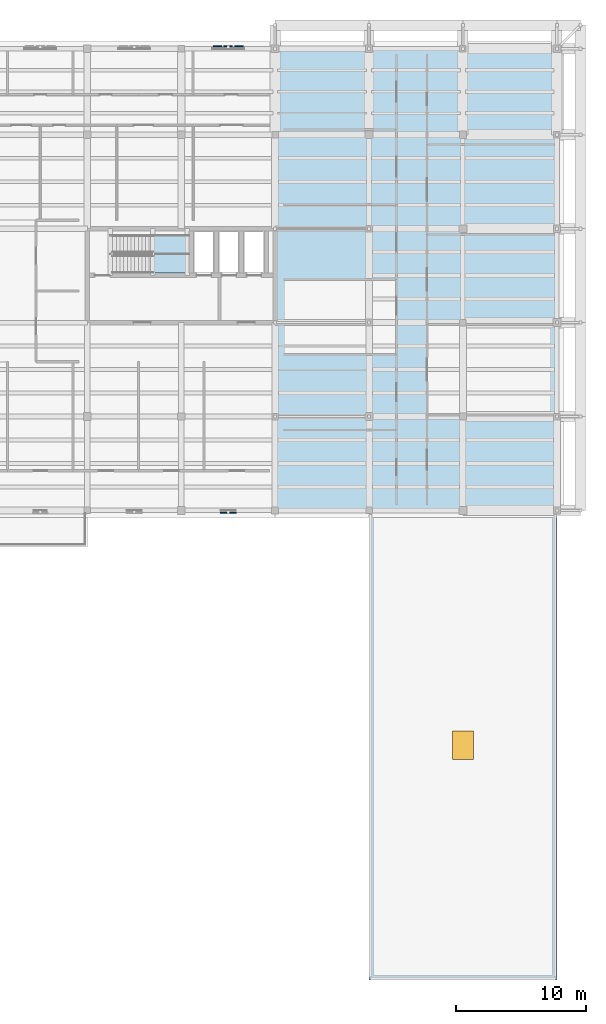
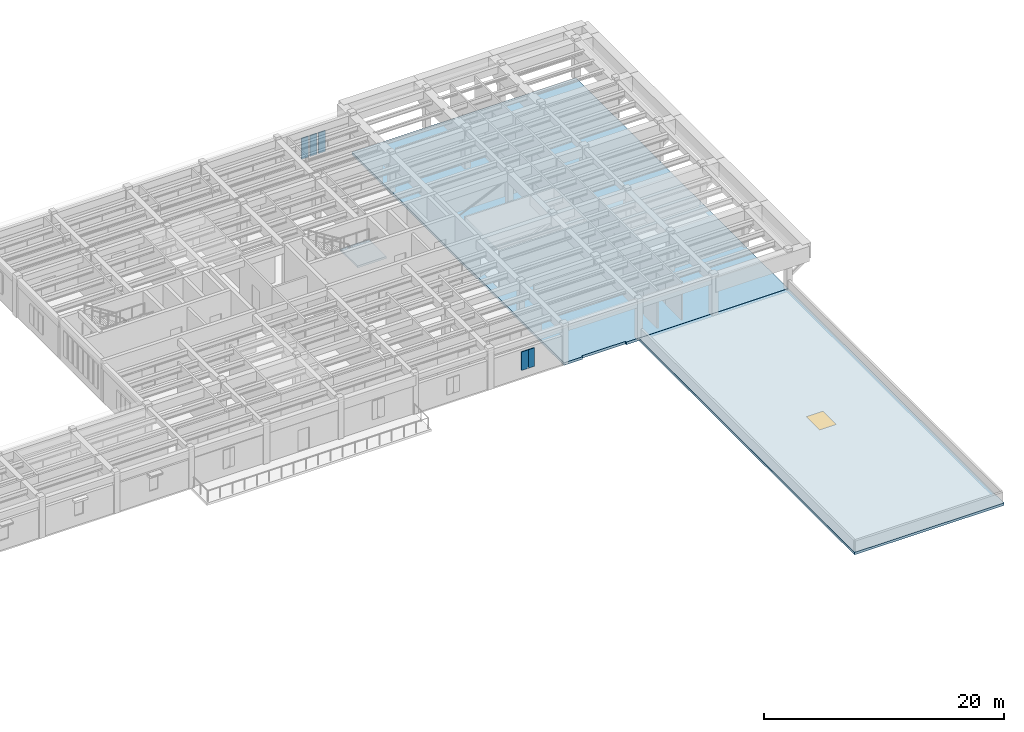
# One storey, part 8 of 22: 5 plates, 3 slabs, 1 window, 1 opening, 1 element without a shape of its own.
"""IFC4 building model written with IfcOpenShell, lengths in metres."""

from ifc_helpers import new_model, si_unit, direction, frame, origin, origin_2d, place, context, subcontext, project, spatial, polyline, rectangle, outline, extrude, material, layer, layer_set, type_object, element, fill, aggregate, save


model = new_model("IFC4")

# Units and contexts
model_context = context("Model", 3, precision=1e-05, world=origin(), true_north=direction((0.0, 1.0)))
body_context = subcontext(model_context, "Body", "Model", "MODEL_VIEW")
ifc_project = project(units=[si_unit("LENGTHUNIT", "METRE"), si_unit("AREAUNIT", "SQUARE_METRE"), si_unit("VOLUMEUNIT", "CUBIC_METRE"), si_unit("PLANEANGLEUNIT", "RADIAN"), si_unit("MASSUNIT", "GRAM", prefix="KILO")], contexts=[model_context])

# Site, building, storey
site_placement = place(None, origin())
site = spatial("IfcSite", under=ifc_project, at=site_placement, CompositionType="ELEMENT")
building_placement = place(site_placement, origin())
building = spatial("IfcBuilding", under=site, at=building_placement, Name="Mithqara Police Headquarters", CompositionType="ELEMENT")
storey_placement = place(building_placement, frame((0.0, 0.0, 22.199951171875)))
storey = spatial("IfcBuildingStorey", under=building, at=storey_placement, Name="L05", CompositionType="ELEMENT", Elevation=22.199951171875)

# Slab
ifc_material_1 = material(Name="Concrete C40/50", Category="concrete")
ifc_layer_1 = layer(ifc_material_1, 0.260009765625, Name="Concrete C40/50")
ifc_layer_set_1 = layer_set([ifc_layer_1], Name="Concrete C40/50")
slab_type_1 = type_object("IfcSlabType", Name="FLOOR SLAB 260", PredefinedType="FLOOR", material=ifc_layer_set_1)
slab_1_placement = place(storey_placement, frame((0.0, 0.0, -0.260009765625)))
element("IfcSlab", 1, at=slab_1_placement, inside=storey, type_object=slab_type_1, Name="L05 Structural Slab L05-V1B", PredefinedType="FLOOR", context=body_context, shape_type="SweptSolid", body=[
    extrude(outline(polyline([(166.199951171875, 78.60009765625), (150.60009765625, 78.60009765625), (150.60009765625, 78.739990234375), (146.39990234375, 78.739990234375), (146.39990234375, 78.60009765625), (144.60009765625, 78.60009765625), (144.60009765625, 114.0), (166.199951171875, 114.0), (166.199951171875, 78.60009765625)])), origin(), (0.0, 0.0, 1.0), 0.260009765625),
])

# Slab, opening, window
ifc_layer_2 = layer(ifc_material_1, 0.25, Name="Concrete C40/50")
ifc_layer_set_2 = layer_set([ifc_layer_2], Name="Concrete C40/50")
slab_type_2 = type_object("IfcSlabType", Name="ROOF SLAB 250", PredefinedType="ROOF", material=ifc_layer_set_2)
slab_2_placement = place(storey_placement, frame((0.0, 0.0, -0.25)))
slab_2 = element("IfcSlab", 2, at=slab_2_placement, inside=storey, type_object=slab_type_2, Name="L05 Flat Insulated Roof over L04 Wing 2", PredefinedType="ROOF", context=body_context, shape_type="SweptSolid", body=[
    extrude(outline(polyline([(166.199951171875, 42.60009765625), (151.800048828125, 42.60009765625), (151.800048828125, 78.580078125), (166.199951171875, 78.580078125), (166.199951171875, 42.60009765625)]), holes=[polyline([(158.199951171875, 59.489990234375), (159.800048828125, 59.489990234375), (159.800048828125, 61.68994140625), (158.199951171875, 61.68994140625), (158.199951171875, 59.489990234375)])]), origin(), (0.0, 0.0, 1.0), 0.25),
])
opening_placement = place(slab_2_placement, frame((159.0, 60.590087890625, -0.010009765625)))
opening = element("IfcOpeningElement", 3, at=opening_placement, cuts=slab_2, Name="Opening SK-03", PredefinedType="OPENING", context=body_context, shape_type="SweptSolid", body=[
    extrude(rectangle(XDim=1.60009765625, YDim=2.199951171875, at=origin_2d()), origin(), (0.0, 0.0, 1.0), 0.27001953125),
])
ifc_material_2 = material(Name="Spectrally selective double low-e glass", Category="glass")
window_type = type_object("IfcWindowType", Name="SKYLIGHT 1600X2200", PartitioningType="SINGLE_PANEL", PredefinedType="SKYLIGHT", material=ifc_material_2)
window_placement = place(opening_placement, frame((0.0, 0.0, 0.2099609375)))
window = element("IfcWindow", 4, at=window_placement, inside=storey, type_object=window_type, Name="L05 Roof Daylight Skylight and Access Hatch 11", OverallHeight=2.199951171875, OverallWidth=1.60009765625, PartitioningType="SINGLE_PANEL", PredefinedType="SKYLIGHT", context=body_context, shape_type="SweptSolid", body=[
    extrude(rectangle(XDim=1.60009765625, YDim=2.199951171875, at=origin_2d()), origin(), (0.0, 0.0, 1.0), 0.050048828125),
])
fill(opening, window)

# Stair, slab
stair_type = type_object("IfcStairType", Name="STAIR ST 02-R24", PredefinedType="HALF_TURN_STAIR", material=ifc_material_1)
stair_placement = place(storey_placement, origin())
stair = element("IfcStair", 5, at=stair_placement, inside=storey, type_object=stair_type, Name="L05 Core C2 Command East Exit Stair", PredefinedType="HALF_TURN_STAIR")
ifc_layer_3 = layer(ifc_material_1, 0.199951171875, Name="Concrete C40/50")
ifc_layer_set_3 = layer_set([ifc_layer_3], Name="Concrete C40/50")
slab_type_3 = type_object("IfcSlabType", Name="STAIR LANDING 200", PredefinedType="LANDING", material=ifc_layer_set_3)
slab_3_placement = place(storey_placement, frame((0.0, 0.0, 1.900146484375)))
slab_3 = element("IfcSlab", 6, at=slab_3_placement, type_object=slab_type_3, Name="ST-02 landing 1", PredefinedType="LANDING", context=body_context, shape_type="SweptSolid", body=[
    extrude(outline(polyline([(135.22998046875, 96.800048828125), (138.0, 96.800048828125), (138.0, 99.699951171875), (135.22998046875, 99.699951171875), (135.22998046875, 96.800048828125)])), origin(), (0.0, 0.0, 1.0), 0.199951171875),
])
aggregate(stair, [slab_3])

# Plates
ifc_material_3 = material(Name="Limestone ashlar masonry, 45 MPa", Category="masonry")
ifc_layer_4 = layer(ifc_material_3, 0.080078125, Name="Limestone ashlar masonry, 45 MPa")
ifc_layer_set_4 = layer_set([ifc_layer_4], Name="Limestone ashlar masonry, 45 MPa")
plate_type = type_object("IfcPlateType", Name="STONE SCREEN 80", PredefinedType="USERDEFINED", material=ifc_layer_set_4)
for number, where, z_axis, x_axis, name in (
    (7, (140.71240234375, 78.409912109375, 0.830078125), (0.0, 0.0, 1.0), (1.0, 0.0, 0.0), "L05 Pierced Limestone Vertical-Slit Panel 224"),
    (8, (141.28759765625, 78.409912109375, 0.830078125), (0.0, 0.0, 1.0), (1.0, 0.0, 0.0), "L05 Pierced Limestone Vertical-Slit Panel 225"),
):
    element("IfcPlate", number, at=place(storey_placement, frame(where, z_axis=z_axis, x_axis=x_axis)), inside=storey, type_object=plate_type, Name=name, ObjectType="STONE SCREEN", PredefinedType="USERDEFINED", context=body_context, shape_type="SweptSolid", body=[
        extrude(rectangle(XDim=0.656005859375, YDim=0.080078125, at=origin_2d()), origin(), (0.0, 0.0, 1.0), 1.889892578125),
    ])
for number, where, z_axis, x_axis, name in (
    (9, (141.816650390625, 114.18994140625, 0.830078125), (0.0, 0.0, 1.0), (1.0, 0.0, 0.0), "L05 Pierced Limestone Vertical-Slit Panel 238"),
    (10, (141.0, 114.18994140625, 0.830078125), (0.0, 0.0, 1.0), (1.0, 0.0, 0.0), "L05 Pierced Limestone Vertical-Slit Panel 239"),
    (11, (140.183349609375, 114.18994140625, 0.830078125), (0.0, 0.0, 1.0), (1.0, 0.0, 0.0), "L05 Pierced Limestone Vertical-Slit Panel 240"),
):
    element("IfcPlate", number, at=place(storey_placement, frame(where, z_axis=z_axis, x_axis=x_axis)), inside=storey, type_object=plate_type, Name=name, ObjectType="STONE SCREEN", PredefinedType="USERDEFINED", context=body_context, shape_type="SweptSolid", body=[
        extrude(rectangle(XDim=0.656005859375, YDim=0.080078125, at=origin_2d()), origin(), (0.0, 0.0, 1.0), 2.139892578125),
    ])

save(model, "model.ifc")
